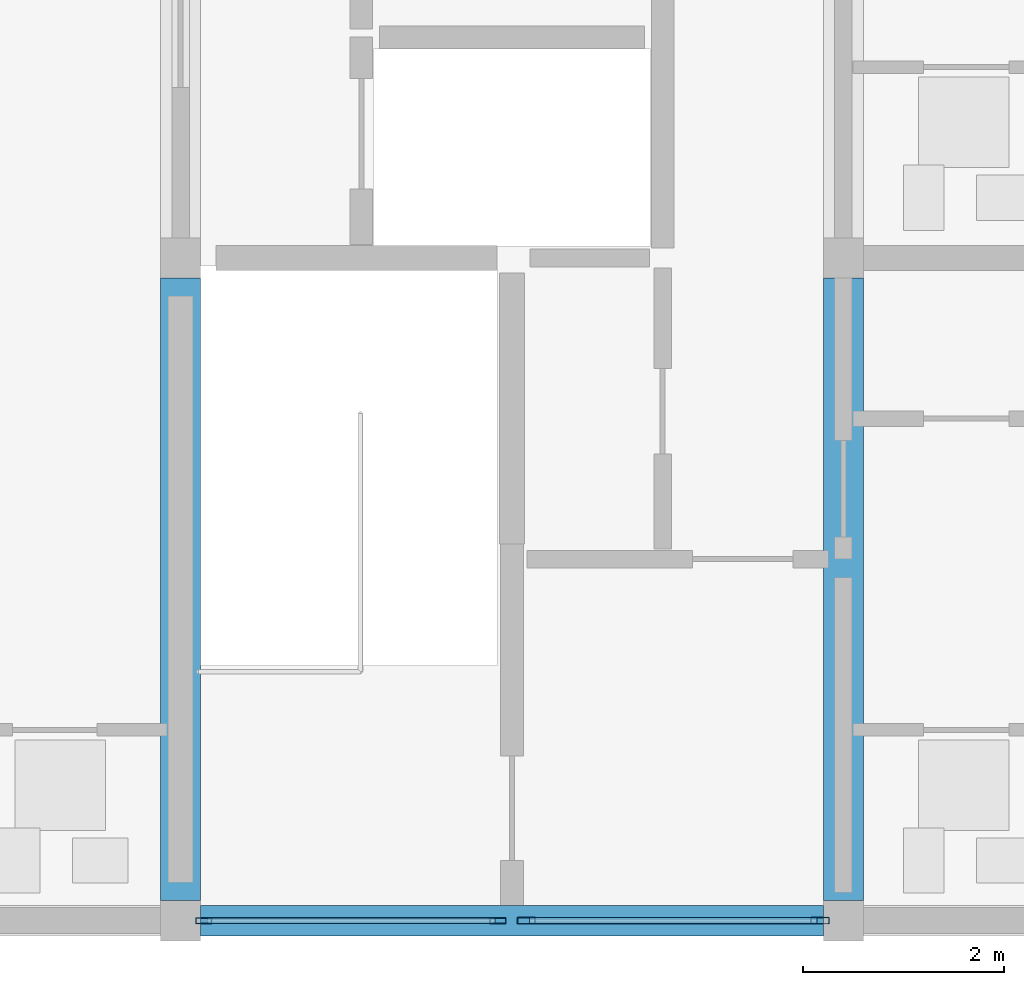
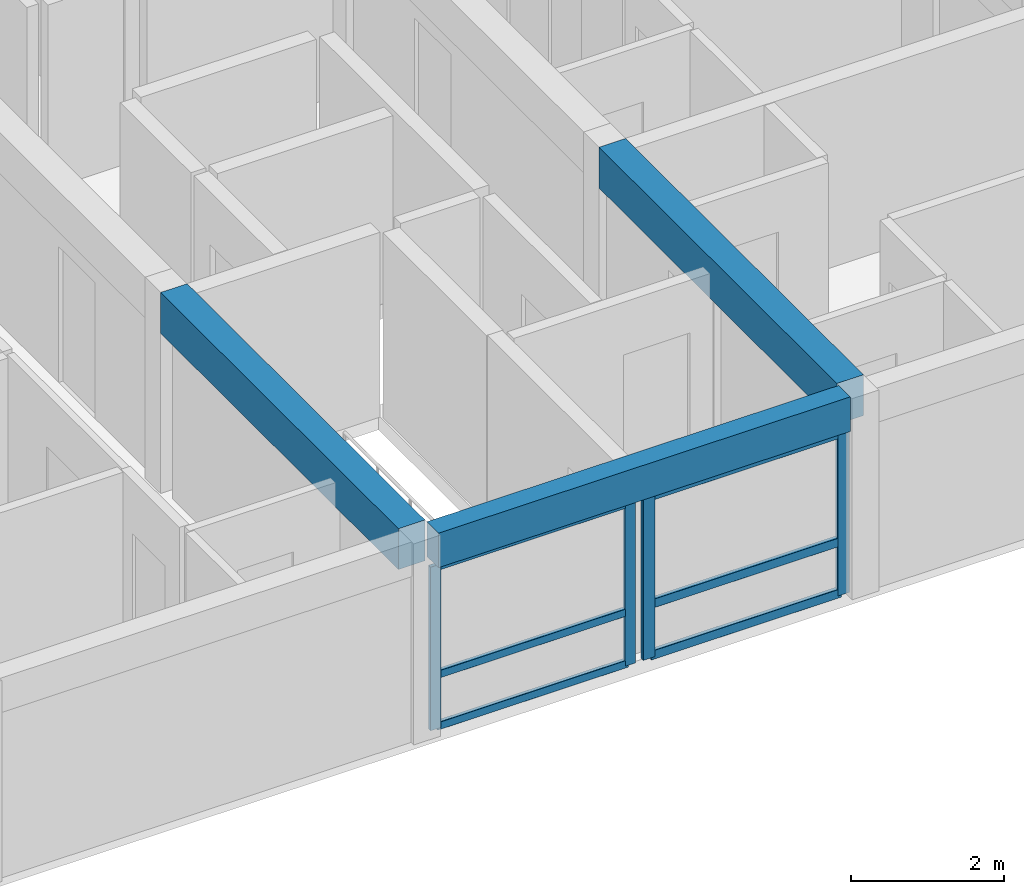
# One storey, part 5 of 34: 10 members, 3 beams, 2 elements without a shape of their own.
"""IFC4 building model written with IfcOpenShell, lengths in metres."""

from ifc_helpers import new_model, si_unit, direction, frame, origin, origin_2d, place, context, subcontext, project, spatial, rectangle, hollow_rectangle, extrude, material, material_profile, profile_set, type_object, element, aggregate, save


model = new_model("IFC4")

# Units and contexts
model_context = context("Model", 3, precision=1e-05, world=origin(), true_north=direction((0.0, 1.0)))
body_context = subcontext(model_context, "Body", "Model", "MODEL_VIEW")
ifc_project = project(units=[si_unit("LENGTHUNIT", "METRE"), si_unit("AREAUNIT", "SQUARE_METRE"), si_unit("VOLUMEUNIT", "CUBIC_METRE"), si_unit("PLANEANGLEUNIT", "RADIAN"), si_unit("MASSUNIT", "GRAM", prefix="KILO")], contexts=[model_context])

# Site, building, storey
site_placement = place(None, origin())
site = spatial("IfcSite", under=ifc_project, at=site_placement, CompositionType="ELEMENT")
building_placement = place(site_placement, origin())
building = spatial("IfcBuilding", under=site, at=building_placement, Name="Kernevlak Ridge Housing Community", CompositionType="ELEMENT")
storey_placement = place(building_placement, frame((0.0, 0.0, 40.39990234375)))
storey = spatial("IfcBuildingStorey", under=building, at=storey_placement, Name="L12", CompositionType="ELEMENT", Elevation=40.39990234375)

# Beams
ifc_material_1 = material(Name="Concrete C35/45", Category="concrete")
ifc_material_profile_1 = material_profile(ifc_material_1, rectangle(XDim=0.39990234375, YDim=0.64990234375, at=origin_2d()), Name="RC 400x650")
ifc_profile_set_1 = profile_set([ifc_material_profile_1], Name="Concrete C35/45")
beam_type_1 = type_object("IfcBeamType", Name="B-03", PredefinedType="T_BEAM", material=ifc_profile_set_1)
for number, where, z_axis, x_axis, name in (
    (1, (132.60009765625, 15.800048828125, 2.875), (0.0, 1.0, 0.0), (-1.0, 0.0, 0.0), "Beam B-03 L12 1264"),
    (2, (139.199951171875, 15.800048828125, 2.875), (0.0, 1.0, 0.0), (-1.0, 0.0, 0.0), "Beam B-03 L12 1267"),
):
    element("IfcBeam", number, at=place(storey_placement, frame(where, z_axis=z_axis, x_axis=x_axis)), inside=storey, type_object=beam_type_1, Name=name, PredefinedType="T_BEAM", context=body_context, shape_type="SweptSolid", body=[
        extrude(rectangle(XDim=0.39990234375, YDim=0.64990234375, at=origin_2d()), origin(), (0.0, 0.0, 1.0), 6.199951171875),
    ])

# Curtain wall, members
ifc_material_2 = material(Name="Aluminium EN AW-6060 anodised and laminated glass", Category="aluminium")
curtain_wall_type_1 = type_object("IfcCurtainWallType", Name="CW-07", PredefinedType="NOTDEFINED", material=ifc_material_2)
curtain_wall_1_placement = place(storey_placement, origin())
curtain_wall_1 = element("IfcCurtainWall", 3, at=curtain_wall_1_placement, inside=storey, type_object=curtain_wall_type_1, Name="Curtain wall CW-07 CW-L12-136", PredefinedType="NOTDEFINED")
ifc_material_3 = material(Name="Aluminium EN AW-6060 anodised", Category="aluminium")
ifc_material_profile_2 = material_profile(ifc_material_3, hollow_rectangle(XDim=0.06005859375, YDim=0.159912109375, WallThickness=0.00390625, InnerFilletRadius=0.001953125, OuterFilletRadius=0.00390625, at=origin_2d()), Name="ALU 60x160x4")
ifc_profile_set_2 = profile_set([ifc_material_profile_2], Name="Aluminium EN AW-6060 anodised")
member_type_1 = type_object("IfcMemberType", Name="MU-02", PredefinedType="MULLION", material=ifc_profile_set_2)
member_1_placement = place(storey_placement, frame((132.830078125, 15.60009765625, 0.0), z_axis=(0.0, 0.0, 1.0), x_axis=(0.0, 1.0, 0.0)))
member_1 = element("IfcMember", 4, at=member_1_placement, type_object=member_type_1, Name="CW-07 mullion 1", PredefinedType="MULLION", context=body_context, shape_type="SweptSolid", body=[
    extrude(hollow_rectangle(XDim=0.06005859375, YDim=0.159912109375, WallThickness=0.00390625, InnerFilletRadius=0.001953125, OuterFilletRadius=0.00390625, at=origin_2d()), origin(), (0.0, 0.0, 1.0), 2.60009765625),
])
member_2_placement = place(storey_placement, frame((135.760009765625, 15.60009765625, 0.0), z_axis=(0.0, 0.0, 1.0), x_axis=(0.0, 1.0, 0.0)))
member_2 = element("IfcMember", 5, at=member_2_placement, type_object=member_type_1, Name="CW-07 mullion 2", PredefinedType="MULLION", context=body_context, shape_type="SweptSolid", body=[
    extrude(hollow_rectangle(XDim=0.06005859375, YDim=0.159912109375, WallThickness=0.00390625, InnerFilletRadius=0.001953125, OuterFilletRadius=0.00390625, at=origin_2d()), origin(), (0.0, 0.0, 1.0), 2.60009765625),
])

curtain_wall_type_2 = type_object("IfcCurtainWallType", Name="CW-13", PredefinedType="NOTDEFINED", material=ifc_material_2)
curtain_wall_2_placement = place(storey_placement, origin())
curtain_wall_2 = element("IfcCurtainWall", 6, at=curtain_wall_2_placement, inside=storey, type_object=curtain_wall_type_2, Name="Curtain wall CW-13 CW-L12-137", PredefinedType="NOTDEFINED")
ifc_material_profile_3 = material_profile(ifc_material_3, hollow_rectangle(XDim=0.06494140625, YDim=0.179931640625, WallThickness=0.00439453125, InnerFilletRadius=0.001953125, OuterFilletRadius=0.00439453125, at=origin_2d()), Name="ALU 65x180x4.5")
ifc_profile_set_3 = profile_set([ifc_material_profile_3], Name="Aluminium EN AW-6060 anodised")
member_type_2 = type_object("IfcMemberType", Name="MU-03", PredefinedType="MULLION", material=ifc_profile_set_3)
member_3_placement = place(storey_placement, frame((136.04248046875, 15.60009765625, 0.0), z_axis=(0.0, 0.0, 1.0), x_axis=(0.0, 1.0, 0.0)))
member_3 = element("IfcMember", 7, at=member_3_placement, type_object=member_type_2, Name="CW-13 mullion 1", PredefinedType="MULLION", context=body_context, shape_type="SweptSolid", body=[
    extrude(hollow_rectangle(XDim=0.06494140625, YDim=0.179931640625, WallThickness=0.00439453125, InnerFilletRadius=0.001953125, OuterFilletRadius=0.00439453125, at=origin_2d()), origin(), (0.0, 0.0, 1.0), 2.60009765625),
])
member_4_placement = place(storey_placement, frame((138.967529296875, 15.60009765625, 0.0), z_axis=(0.0, 0.0, 1.0), x_axis=(0.0, 1.0, 0.0)))
member_4 = element("IfcMember", 8, at=member_4_placement, type_object=member_type_2, Name="CW-13 mullion 2", PredefinedType="MULLION", context=body_context, shape_type="SweptSolid", body=[
    extrude(hollow_rectangle(XDim=0.06494140625, YDim=0.179931640625, WallThickness=0.00439453125, InnerFilletRadius=0.001953125, OuterFilletRadius=0.00439453125, at=origin_2d()), origin(), (0.0, 0.0, 1.0), 2.60009765625),
])

# Beam
ifc_material_profile_4 = material_profile(ifc_material_1, rectangle(XDim=0.300048828125, YDim=0.550048828125, at=origin_2d()), Name="RC 300x550")
ifc_profile_set_4 = profile_set([ifc_material_profile_4], Name="Concrete C35/45")
beam_type_2 = type_object("IfcBeamType", Name="SP-01", PredefinedType="SPANDREL", material=ifc_profile_set_4)
beam_placement = place(storey_placement, frame((132.800048828125, 15.60009765625, 2.925048828125), z_axis=(1.0, 0.0, 0.0), x_axis=(0.0, 1.0, 0.0)))
element("IfcBeam", 9, at=beam_placement, inside=storey, type_object=beam_type_2, Name="Beam SP-01 L12 1274", PredefinedType="SPANDREL", context=body_context, shape_type="SweptSolid", body=[
    extrude(rectangle(XDim=0.300048828125, YDim=0.550048828125, at=origin_2d()), origin(), (0.0, 0.0, 1.0), 6.199951171875),
])

# Member
ifc_material_profile_5 = material_profile(ifc_material_3, hollow_rectangle(XDim=0.06005859375, YDim=0.1201171875, WallThickness=0.00390625, InnerFilletRadius=0.001953125, OuterFilletRadius=0.00390625, at=origin_2d()), Name="ALU 60x120x4")
ifc_profile_set_5 = profile_set([ifc_material_profile_5], Name="Aluminium EN AW-6060 anodised")
member_type_3 = type_object("IfcMemberType", Name="TM-02", PredefinedType="USERDEFINED", material=ifc_profile_set_5)
member_5_placement = place(storey_placement, frame((132.860107421875, 15.60009765625, 0.030029296875), z_axis=(1.0, 0.0, 0.0), x_axis=(0.0, 1.0, 0.0)))
member_5 = element("IfcMember", 10, at=member_5_placement, type_object=member_type_3, Name="CW-07 transom 1.1", ObjectType="TRANSOM", PredefinedType="USERDEFINED", context=body_context, shape_type="SweptSolid", body=[
    extrude(hollow_rectangle(XDim=0.06005859375, YDim=0.1201171875, WallThickness=0.00390625, InnerFilletRadius=0.001953125, OuterFilletRadius=0.00390625, at=origin_2d()), origin(), (0.0, 0.0, 1.0), 2.869873046875),
])

member_6_placement = place(storey_placement, frame((132.860107421875, 15.60009765625, 0.85009765625), z_axis=(1.0, 0.0, 0.0), x_axis=(0.0, 1.0, 0.0)))
member_6 = element("IfcMember", 11, at=member_6_placement, type_object=member_type_3, Name="CW-07 transom 1.2", ObjectType="TRANSOM", PredefinedType="USERDEFINED", context=body_context, shape_type="SweptSolid", body=[
    extrude(hollow_rectangle(XDim=0.06005859375, YDim=0.1201171875, WallThickness=0.00390625, InnerFilletRadius=0.001953125, OuterFilletRadius=0.00390625, at=origin_2d()), origin(), (0.0, 0.0, 1.0), 2.869873046875),
])

member_7_placement = place(storey_placement, frame((132.860107421875, 15.60009765625, 2.570068359375), z_axis=(1.0, 0.0, 0.0), x_axis=(0.0, 1.0, 0.0)))
member_7 = element("IfcMember", 12, at=member_7_placement, type_object=member_type_3, Name="CW-07 transom 1.3", ObjectType="TRANSOM", PredefinedType="USERDEFINED", context=body_context, shape_type="SweptSolid", body=[
    extrude(hollow_rectangle(XDim=0.06005859375, YDim=0.1201171875, WallThickness=0.00390625, InnerFilletRadius=0.001953125, OuterFilletRadius=0.00390625, at=origin_2d()), origin(), (0.0, 0.0, 1.0), 2.869873046875),
])

aggregate(curtain_wall_1, [member_1, member_2, member_5, member_6, member_7])

ifc_material_profile_6 = material_profile(ifc_material_3, hollow_rectangle(XDim=0.06494140625, YDim=0.139892578125, WallThickness=0.00390625, InnerFilletRadius=0.001953125, OuterFilletRadius=0.00390625, at=origin_2d()), Name="ALU 65x140x4")
ifc_profile_set_6 = profile_set([ifc_material_profile_6], Name="Aluminium EN AW-6060 anodised")
member_type_4 = type_object("IfcMemberType", Name="TM-03", PredefinedType="USERDEFINED", material=ifc_profile_set_6)
member_8_placement = place(storey_placement, frame((136.074951171875, 15.60009765625, 0.03271484375), z_axis=(1.0, 0.0, 0.0), x_axis=(0.0, 1.0, 0.0)))
member_8 = element("IfcMember", 13, at=member_8_placement, type_object=member_type_4, Name="CW-13 transom 1.1", ObjectType="TRANSOM", PredefinedType="USERDEFINED", context=body_context, shape_type="SweptSolid", body=[
    extrude(hollow_rectangle(XDim=0.06494140625, YDim=0.139892578125, WallThickness=0.00390625, InnerFilletRadius=0.001953125, OuterFilletRadius=0.00390625, at=origin_2d()), origin(), (0.0, 0.0, 1.0), 2.860107421875),
])

member_9_placement = place(storey_placement, frame((136.074951171875, 15.60009765625, 0.85009765625), z_axis=(1.0, 0.0, 0.0), x_axis=(0.0, 1.0, 0.0)))
member_9 = element("IfcMember", 14, at=member_9_placement, type_object=member_type_4, Name="CW-13 transom 1.2", ObjectType="TRANSOM", PredefinedType="USERDEFINED", context=body_context, shape_type="SweptSolid", body=[
    extrude(hollow_rectangle(XDim=0.06494140625, YDim=0.139892578125, WallThickness=0.00390625, InnerFilletRadius=0.001953125, OuterFilletRadius=0.00390625, at=origin_2d()), origin(), (0.0, 0.0, 1.0), 2.860107421875),
])

member_10_placement = place(storey_placement, frame((136.074951171875, 15.60009765625, 2.567626953125), z_axis=(1.0, 0.0, 0.0), x_axis=(0.0, 1.0, 0.0)))
member_10 = element("IfcMember", 15, at=member_10_placement, type_object=member_type_4, Name="CW-13 transom 1.3", ObjectType="TRANSOM", PredefinedType="USERDEFINED", context=body_context, shape_type="SweptSolid", body=[
    extrude(hollow_rectangle(XDim=0.06494140625, YDim=0.139892578125, WallThickness=0.00390625, InnerFilletRadius=0.001953125, OuterFilletRadius=0.00390625, at=origin_2d()), origin(), (0.0, 0.0, 1.0), 2.860107421875),
])

aggregate(curtain_wall_2, [member_3, member_4, member_8, member_9, member_10])

save(model, "model.ifc")
